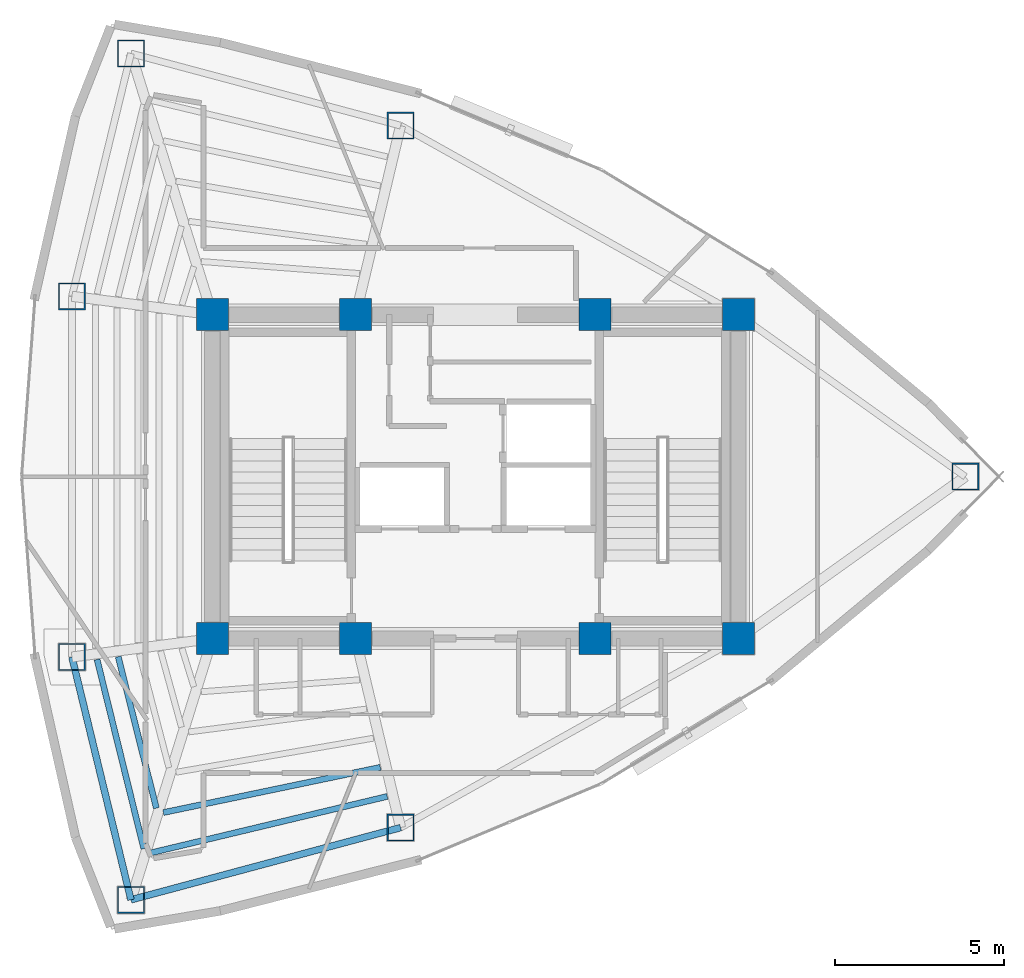
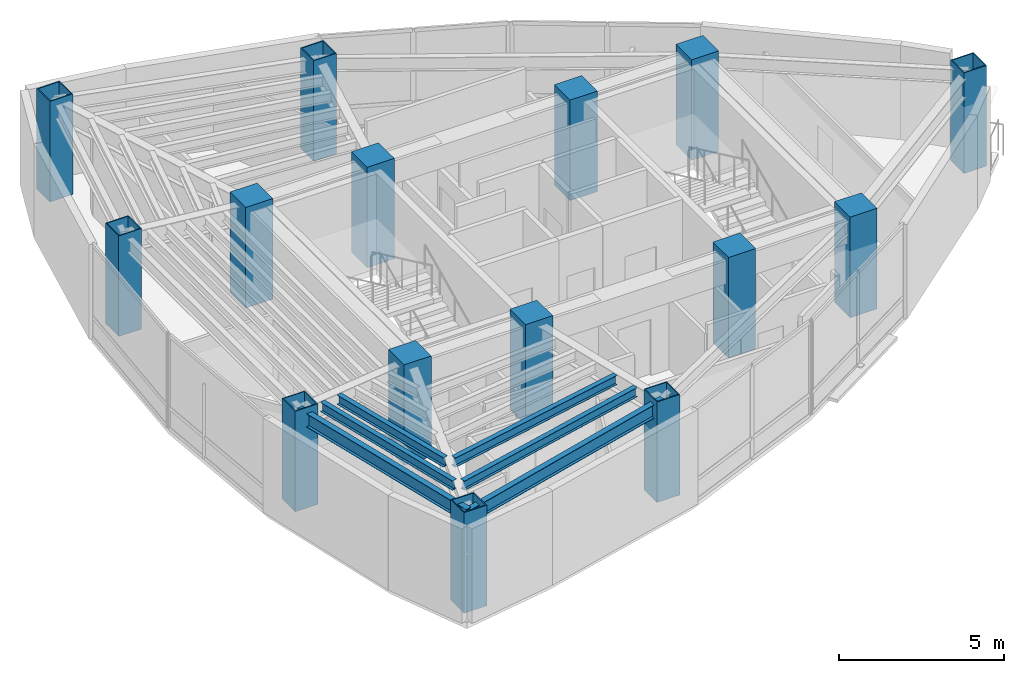
# One storey, part 1 of 15: 15 columns, 6 beams.
"""IFC4 building model written with IfcOpenShell, lengths in metres."""

from ifc_helpers import new_model, si_unit, direction, frame, origin, origin_2d, place, context, subcontext, project, spatial, rectangle, hollow_rectangle, i_section, extrude, material, material_profile, profile_set, type_object, element, save


model = new_model("IFC4")

# Units and contexts
model_context = context("Model", 3, precision=1e-05, world=origin(), true_north=direction((0.0, 1.0)))
body_context = subcontext(model_context, "Body", "Model", "MODEL_VIEW")
ifc_project = project(units=[si_unit("LENGTHUNIT", "METRE"), si_unit("AREAUNIT", "SQUARE_METRE"), si_unit("VOLUMEUNIT", "CUBIC_METRE"), si_unit("PLANEANGLEUNIT", "RADIAN"), si_unit("MASSUNIT", "GRAM", prefix="KILO")], contexts=[model_context])

# Site, building, storey
site_placement = place(None, origin())
site = spatial("IfcSite", under=ifc_project, at=site_placement, CompositionType="ELEMENT")
building_placement = place(site_placement, origin())
building = spatial("IfcBuilding", under=site, at=building_placement, Name="Menara Vayukalpa", CompositionType="ELEMENT")
storey_placement = place(building_placement, frame((0.0, 0.0, 265.739990234375)))
storey = spatial("IfcBuildingStorey", under=building, at=storey_placement, Name="L67", CompositionType="ELEMENT", Elevation=265.739990234375)

# Columns
ifc_material_1 = material(Name="Concrete C60/75", Category="concrete")
ifc_material_profile_1 = material_profile(ifc_material_1, rectangle(XDim=0.949951171875, YDim=0.949951171875, at=origin_2d()), Name="RC 950x950")
ifc_profile_set_1 = profile_set([ifc_material_profile_1], Name="Concrete C60/75")
column_type_1 = type_object("IfcColumnType", Name="COL-CC2", PredefinedType="COLUMN", material=ifc_profile_set_1)
for number, where, z_axis, x_axis, name in (
    (1, (17.800048828125, 17.199951171875, 0.0), (0.0, 0.0, 1.0), (1.0, 0.0, 0.0), "L67 Core Pilaster Column CC1"),
    (2, (22.050048828125, 17.199951171875, 0.0), (0.0, 0.0, 1.0), (1.0, 0.0, 0.0), "L67 Core Pilaster Column CC2"),
    (3, (29.14990234375, 17.199951171875, 0.0), (0.0, 0.0, 1.0), (1.0, 0.0, 0.0), "L67 Core Pilaster Column CC3"),
    (4, (33.39990234375, 17.199951171875, 0.0), (0.0, 0.0, 1.0), (1.0, 0.0, 0.0), "L67 Core Pilaster Column CC4"),
    (5, (17.800048828125, 26.800048828125, 0.0), (0.0, 0.0, 1.0), (1.0, 0.0, 0.0), "L67 Core Pilaster Column CC5"),
    (6, (22.050048828125, 26.800048828125, 0.0), (0.0, 0.0, 1.0), (1.0, 0.0, 0.0), "L67 Core Pilaster Column CC6"),
    (7, (29.14990234375, 26.800048828125, 0.0), (0.0, 0.0, 1.0), (1.0, 0.0, 0.0), "L67 Core Pilaster Column CC7"),
    (8, (33.39990234375, 26.800048828125, 0.0), (0.0, 0.0, 1.0), (1.0, 0.0, 0.0), "L67 Core Pilaster Column CC8"),
):
    element("IfcColumn", number, at=place(storey_placement, frame(where, z_axis=z_axis, x_axis=x_axis)), inside=storey, type_object=column_type_1, Name=name, PredefinedType="COLUMN", context=body_context, shape_type="SweptSolid", body=[
        extrude(rectangle(XDim=0.949951171875, YDim=0.949951171875, at=origin_2d()), origin(), (0.0, 0.0, 1.0), 3.719970703125),
    ])
ifc_material_2 = material(Name="Steel S355", Category="steel")
ifc_material_profile_2 = material_profile(ifc_material_2, hollow_rectangle(XDim=0.800048828125, YDim=0.800048828125, WallThickness=0.034912109375, at=origin_2d()), Name="BOX 800x800x35")
ifc_profile_set_2 = profile_set([ifc_material_profile_2], Name="Steel S355")
column_type_2 = type_object("IfcColumnType", Name="COL-MC5", PredefinedType="COLUMN", material=ifc_profile_set_2)
for number, where, z_axis, x_axis, name in (
    (9, (40.121826171875, 22.0, 0.0), (0.0, 0.0, 1.0), (1.0, 0.0, 0.0), "L67 Perimeter Mega Column P01"),
    (10, (23.3818359375, 32.40478515625, 0.0), (0.0, 0.0, 1.0), (1.0, 0.0, 0.0), "L67 Perimeter Mega Column P03"),
    (11, (15.38916015625, 34.544677734375, 0.0), (0.0, 0.0, 1.0), (1.0, 0.0, 0.0), "L67 Perimeter Mega Column P04"),
    (12, (13.638916015625, 27.3466796875, 0.0), (0.0, 0.0, 1.0), (1.0, 0.0, 0.0), "L67 Perimeter Mega Column P05"),
    (13, (13.638916015625, 16.6533203125, 0.0), (0.0, 0.0, 1.0), (1.0, 0.0, 0.0), "L67 Perimeter Mega Column P06"),
    (14, (15.38916015625, 9.455322265625, 0.0), (0.0, 0.0, 1.0), (1.0, 0.0, 0.0), "L67 Perimeter Mega Column P07"),
    (15, (23.3818359375, 11.59521484375, 0.0), (0.0, 0.0, 1.0), (1.0, 0.0, 0.0), "L67 Perimeter Mega Column P08"),
):
    element("IfcColumn", number, at=place(storey_placement, frame(where, z_axis=z_axis, x_axis=x_axis)), inside=storey, type_object=column_type_2, Name=name, PredefinedType="COLUMN", context=body_context, shape_type="SweptSolid", body=[
        extrude(hollow_rectangle(XDim=0.800048828125, YDim=0.800048828125, WallThickness=0.034912109375, at=origin_2d()), origin(), (0.0, 0.0, 1.0), 3.719970703125),
    ])

# Beams
ifc_material_3 = material(Name="Steel S355", Category="steel")
ifc_material_profile_3 = material_profile(ifc_material_3, i_section(OverallWidth=0.175048828125, OverallDepth=0.35009765625, WebThickness=0.007080078125, FlangeThickness=0.010986328125, at=origin_2d()), Name="WF 350x175x7x11")
ifc_profile_set_3 = profile_set([ifc_material_profile_3], Name="Steel S355")
beam_type_1 = type_object("IfcBeamType", Name="BM-SJ3", PredefinedType="JOIST", material=ifc_profile_set_3)
beam_1_placement = place(storey_placement, frame((15.010986328125, 16.6630859375, 3.324951171875), z_axis=(0.244247063973, -0.969713035769, 0.0), x_axis=(0.969713035769, 0.244247063973, 0.0)))
element("IfcBeam", 16, at=beam_1_placement, inside=storey, type_object=beam_type_1, Name="L67 Secondary Floor Joist SJ06-4", PredefinedType="JOIST", context=body_context, shape_type="SweptSolid", body=[
    extrude(i_section(OverallWidth=0.175048828125, OverallDepth=0.35009765625, WebThickness=0.007080078125, FlangeThickness=0.010986328125, at=origin_2d()), origin(), (0.0, 0.0, 1.0), 4.630859375),
])
beam_2_placement = place(storey_placement, frame((14.384033203125, 16.580810546875, 3.324951171875), z_axis=(0.239671161383, -0.970854126222, 0.0), x_axis=(0.970854126222, 0.239671161383, 0.0)))
element("IfcBeam", 17, at=beam_2_placement, inside=storey, type_object=beam_type_1, Name="L67 Secondary Floor Joist SJ06-5", PredefinedType="JOIST", context=body_context, shape_type="SweptSolid", body=[
    extrude(i_section(OverallWidth=0.175048828125, OverallDepth=0.35009765625, WebThickness=0.007080078125, FlangeThickness=0.010986328125, at=origin_2d()), origin(), (0.0, 0.0, 1.0), 5.77783203125),
])
beam_3_placement = place(storey_placement, frame((16.35009765625, 12.0419921875, 3.324951171875), z_axis=(0.978941451827, 0.204141210671, 0.0), x_axis=(-0.204141210671, 0.978941451827, 0.0)))
element("IfcBeam", 18, at=beam_3_placement, inside=storey, type_object=beam_type_1, Name="L67 Secondary Floor Joist SJ07-4", PredefinedType="JOIST", context=body_context, shape_type="SweptSolid", body=[
    extrude(i_section(OverallWidth=0.175048828125, OverallDepth=0.35009765625, WebThickness=0.007080078125, FlangeThickness=0.010986328125, at=origin_2d()), origin(), (0.0, 0.0, 1.0), 6.570556640625),
])
beam_4_placement = place(storey_placement, frame((15.97509765625, 10.845947265625, 3.324951171875), z_axis=(0.972642465748, 0.232307197097, 0.0), x_axis=(-0.232307197097, 0.972642465748, 0.0)))
element("IfcBeam", 19, at=beam_4_placement, inside=storey, type_object=beam_type_1, Name="L67 Secondary Floor Joist SJ07-5", PredefinedType="JOIST", context=body_context, shape_type="SweptSolid", body=[
    extrude(i_section(OverallWidth=0.175048828125, OverallDepth=0.35009765625, WebThickness=0.007080078125, FlangeThickness=0.010986328125, at=origin_2d()), origin(), (0.0, 0.0, 1.0), 7.20947265625),
])
ifc_material_4 = material(Name="Steel S355", Category="steel")
ifc_material_profile_4 = material_profile(ifc_material_4, i_section(OverallWidth=0.199951171875, OverallDepth=0.5, WebThickness=0.010009765625, FlangeThickness=0.01611328125, at=origin_2d()), Name="WF 500x200x10x16")
ifc_profile_set_4 = profile_set([ifc_material_profile_4], Name="Steel S355")
beam_type_2 = type_object("IfcBeamType", Name="BM-SP3", PredefinedType="SPANDREL", material=ifc_profile_set_4)
beam_5_placement = place(storey_placement, frame((13.638916015625, 16.6533203125, 3.25), z_axis=(0.236272525754, -0.97168682896, 0.0), x_axis=(0.97168682896, 0.236272525754, 0.0)))
element("IfcBeam", 20, at=beam_5_placement, inside=storey, type_object=beam_type_2, Name="L67 Perimeter Spandrel Beam SP06", PredefinedType="SPANDREL", context=body_context, shape_type="SweptSolid", body=[
    extrude(i_section(OverallWidth=0.199951171875, OverallDepth=0.5, WebThickness=0.010009765625, FlangeThickness=0.01611328125, at=origin_2d()), origin(), (0.0, 0.0, 1.0), 7.40771484375),
])
beam_6_placement = place(storey_placement, frame((15.38916015625, 9.455322265625, 3.25), z_axis=(0.965978332552, 0.258623009494, 0.0), x_axis=(-0.258623009494, 0.965978332552, 0.0)))
element("IfcBeam", 21, at=beam_6_placement, inside=storey, type_object=beam_type_2, Name="L67 Perimeter Spandrel Beam SP07", PredefinedType="SPANDREL", context=body_context, shape_type="SweptSolid", body=[
    extrude(i_section(OverallWidth=0.199951171875, OverallDepth=0.5, WebThickness=0.010009765625, FlangeThickness=0.01611328125, at=origin_2d()), origin(), (0.0, 0.0, 1.0), 8.274169921875),
])

save(model, "model.ifc")
